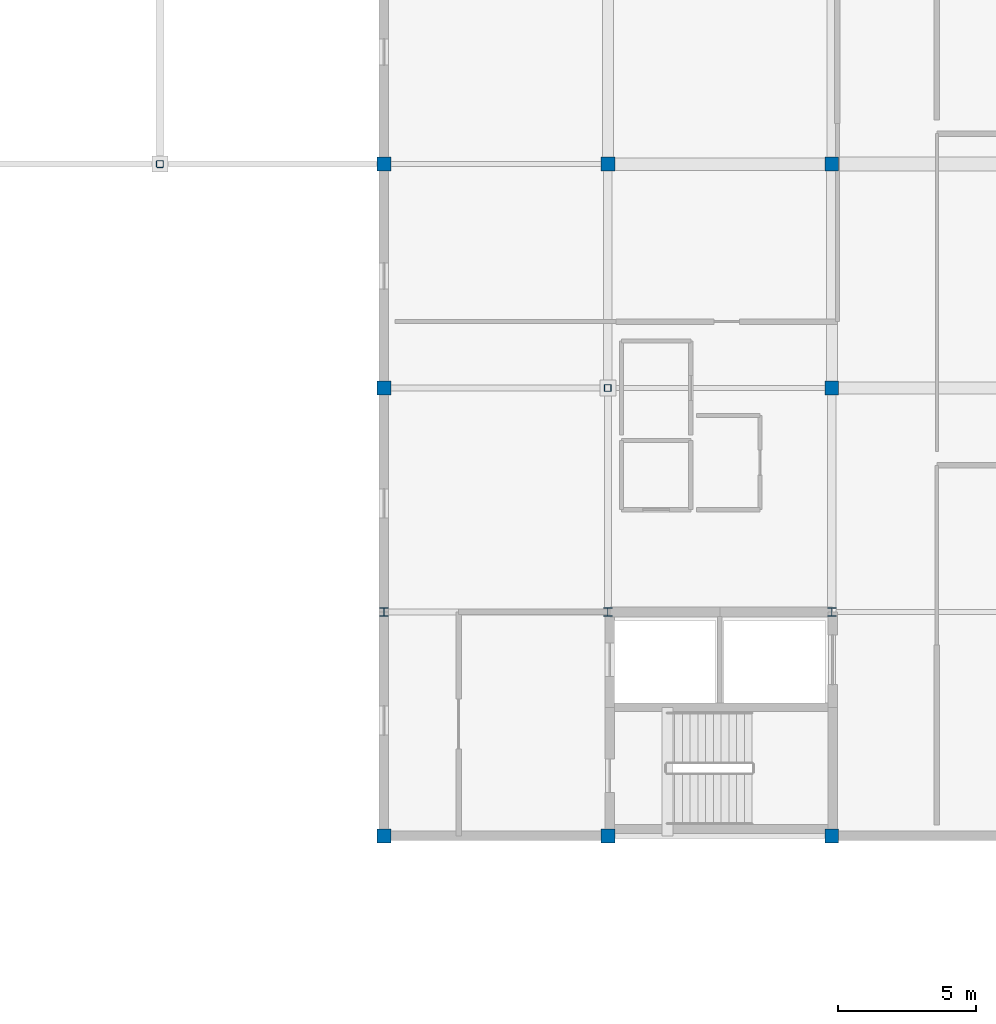
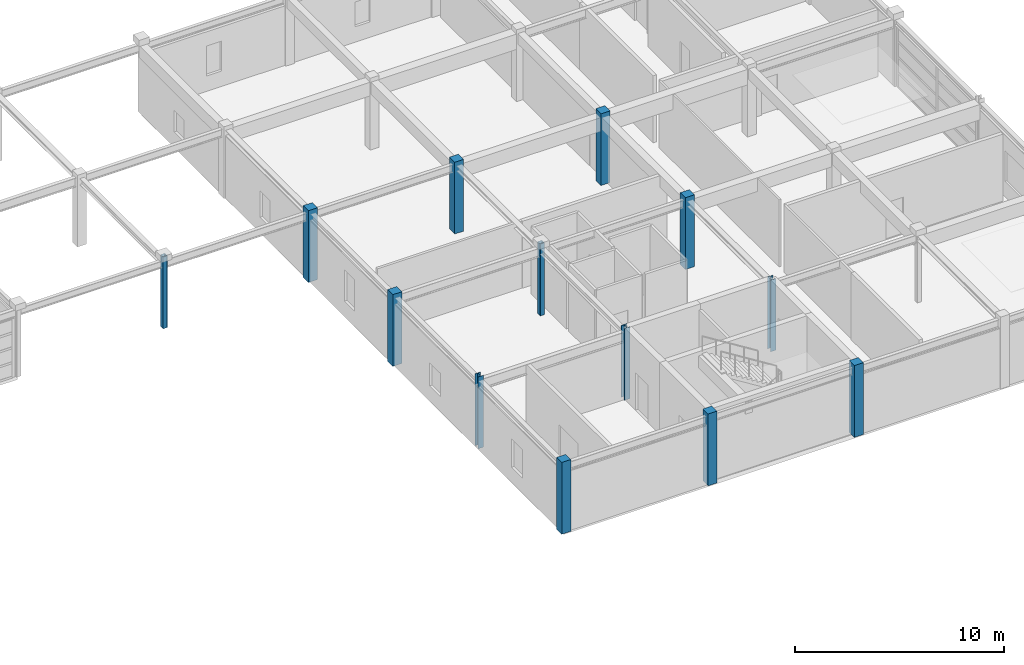
# One storey, part 5 of 26: 13 columns.
"""IFC4 building model written with IfcOpenShell, lengths in metres."""

from ifc_helpers import new_model, si_unit, direction, frame, origin, origin_2d, place, context, subcontext, project, spatial, rectangle, hollow_rectangle, i_section, extrude, material, material_profile, profile_set, type_object, element, save


model = new_model("IFC4")

# Units and contexts
model_context = context("Model", 3, precision=1e-05, world=origin(), true_north=direction((0.0, 1.0)))
body_context = subcontext(model_context, "Body", "Model", "MODEL_VIEW")
ifc_project = project(units=[si_unit("LENGTHUNIT", "METRE"), si_unit("AREAUNIT", "SQUARE_METRE"), si_unit("VOLUMEUNIT", "CUBIC_METRE"), si_unit("PLANEANGLEUNIT", "RADIAN"), si_unit("MASSUNIT", "GRAM", prefix="KILO")], contexts=[model_context])

# Site, building, storey
site_placement = place(None, origin())
site = spatial("IfcSite", under=ifc_project, at=site_placement, CompositionType="ELEMENT")
building_placement = place(site_placement, origin())
building = spatial("IfcBuilding", under=site, at=building_placement, Name="Parian Resonance Hall", CompositionType="ELEMENT")
storey_placement = place(building_placement, frame((0.0, 0.0, 19.199951171875)))
storey = spatial("IfcBuildingStorey", under=building, at=storey_placement, Name="L04", CompositionType="ELEMENT", Elevation=19.199951171875)

# Columns
ifc_material_1 = material(Name="Concrete C40/50", Category="concrete")
ifc_material_profile_1 = material_profile(ifc_material_1, rectangle(XDim=0.5, YDim=0.5, at=origin_2d()), Name="RC-COL-500x500")
ifc_profile_set_1 = profile_set([ifc_material_profile_1], Name="Concrete C40/50")
column_type_1 = type_object("IfcColumnType", Name="COL-RC500", PredefinedType="COLUMN", material=ifc_profile_set_1)
for number, where, z_axis, x_axis, name in (
    (1, (113.39990234375, 48.60009765625, 0.0), (0.0, 0.0, 1.0), (1.0, 0.0, 0.0), "Column G15-07 L04"),
    (2, (113.39990234375, 64.800048828125, 0.0), (0.0, 0.0, 1.0), (1.0, 0.0, 0.0), "Column G15-09 L04"),
    (3, (113.39990234375, 72.89990234375, 0.0), (0.0, 0.0, 1.0), (1.0, 0.0, 0.0), "Column G15-10 L04"),
    (4, (121.5, 48.60009765625, 0.0), (0.0, 0.0, 1.0), (1.0, 0.0, 0.0), "Column G16-07 L04"),
    (5, (121.5, 72.89990234375, 0.0), (0.0, 0.0, 1.0), (1.0, 0.0, 0.0), "Column G16-10 L04"),
    (6, (129.60009765625, 48.60009765625, 0.0), (0.0, 0.0, 1.0), (1.0, 0.0, 0.0), "Column G17-07 L04"),
    (7, (129.60009765625, 64.800048828125, 0.0), (0.0, 0.0, 1.0), (1.0, 0.0, 0.0), "Column G17-09 L04"),
    (8, (129.60009765625, 72.89990234375, 0.0), (0.0, 0.0, 1.0), (1.0, 0.0, 0.0), "Column G17-10 L04"),
):
    element("IfcColumn", number, at=place(storey_placement, frame(where, z_axis=z_axis, x_axis=x_axis)), inside=storey, type_object=column_type_1, Name=name, PredefinedType="COLUMN", context=body_context, shape_type="SweptSolid", body=[
        extrude(rectangle(XDim=0.5, YDim=0.5, at=origin_2d()), origin(), (0.0, 0.0, 1.0), 4.199951171875),
    ])
ifc_material_2 = material(Name="Hollow structural steel S355", Category="steel")
ifc_material_profile_2 = material_profile(ifc_material_2, hollow_rectangle(XDim=0.25, YDim=0.25, WallThickness=0.012451171875, InnerFilletRadius=0.012451171875, OuterFilletRadius=0.02490234375, at=origin_2d()), Name="SHS250x250x12.5")
ifc_profile_set_2 = profile_set([ifc_material_profile_2], Name="Hollow structural steel S355")
column_type_2 = type_object("IfcColumnType", Name="COL-SHS250", PredefinedType="COLUMN", material=ifc_profile_set_2)
for number, where, z_axis, x_axis, name in (
    (9, (105.300048828125, 72.89990234375, 0.0), (0.0, 0.0, 1.0), (1.0, 0.0, 0.0), "Column G14-10 L04"),
    (10, (121.5, 64.800048828125, 0.0), (0.0, 0.0, 1.0), (1.0, 0.0, 0.0), "Column G16-09 L04"),
):
    element("IfcColumn", number, at=place(storey_placement, frame(where, z_axis=z_axis, x_axis=x_axis)), inside=storey, type_object=column_type_2, Name=name, PredefinedType="COLUMN", context=body_context, shape_type="SweptSolid", body=[
        extrude(hollow_rectangle(XDim=0.25, YDim=0.25, WallThickness=0.012451171875, InnerFilletRadius=0.012451171875, OuterFilletRadius=0.02490234375, at=origin_2d()), origin(), (0.0, 0.0, 1.0), 4.199951171875),
    ])
ifc_material_3 = material(Name="Steel S355", Category="steel")
ifc_material_profile_3 = material_profile(ifc_material_3, i_section(OverallWidth=0.304931640625, OverallDepth=0.30810546875, WebThickness=0.010009765625, FlangeThickness=0.015380859375, FilletRadius=0.01513671875, at=origin_2d()), Name="W310x97")
ifc_profile_set_3 = profile_set([ifc_material_profile_3], Name="Steel S355")
column_type_3 = type_object("IfcColumnType", Name="COL-W310", PredefinedType="COLUMN", material=ifc_profile_set_3)
for number, where, z_axis, x_axis, name in (
    (11, (113.39990234375, 56.699951171875, 0.0), (0.0, 0.0, 1.0), (1.0, 0.0, 0.0), "Column G15-08 L04"),
    (12, (121.5, 56.699951171875, 0.0), (0.0, 0.0, 1.0), (1.0, 0.0, 0.0), "Column G16-08 L04"),
    (13, (129.60009765625, 56.699951171875, 0.0), (0.0, 0.0, 1.0), (1.0, 0.0, 0.0), "Column G17-08 L04"),
):
    element("IfcColumn", number, at=place(storey_placement, frame(where, z_axis=z_axis, x_axis=x_axis)), inside=storey, type_object=column_type_3, Name=name, PredefinedType="COLUMN", context=body_context, shape_type="SweptSolid", body=[
        extrude(i_section(OverallWidth=0.304931640625, OverallDepth=0.30810546875, WebThickness=0.010009765625, FlangeThickness=0.015380859375, FilletRadius=0.01513671875, at=origin_2d()), origin(), (0.0, 0.0, 1.0), 4.199951171875),
    ])

save(model, "model.ifc")
